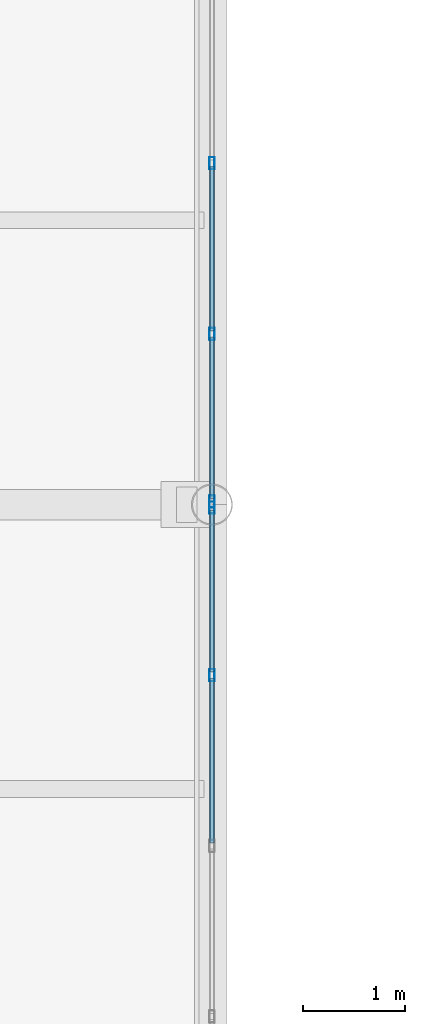
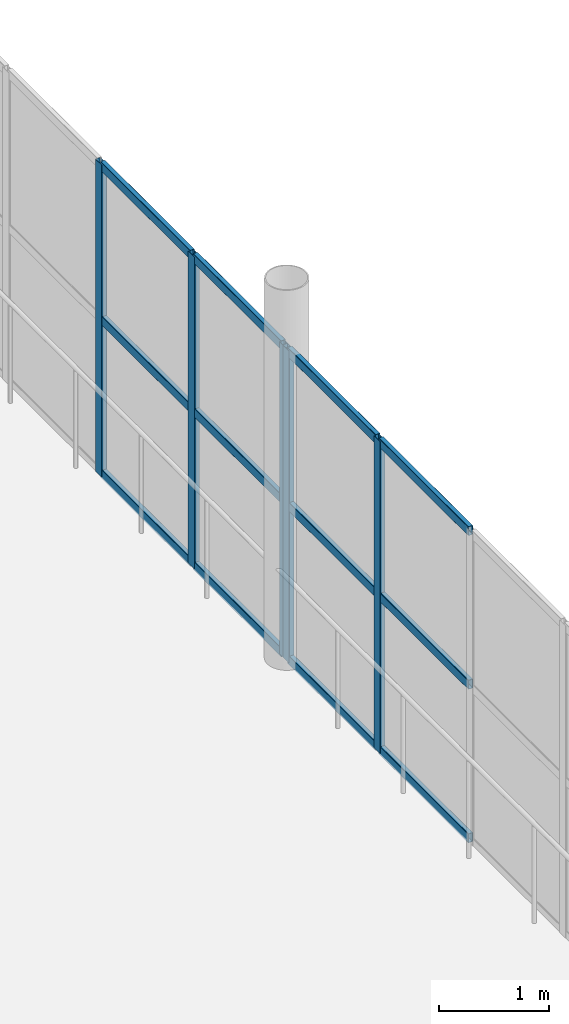
# One storey, part 53 of 163: 17 members, 2 elements without a shape of their own.
"""IFC4 building model written with IfcOpenShell, lengths in metres."""

from ifc_helpers import new_model, si_unit, direction, frame, origin, origin_2d, place, context, subcontext, project, spatial, hollow_rectangle, extrude, material, layer, layer_set, material_profile, profile_set, type_object, element, aggregate, save


model = new_model("IFC4")

# Units and contexts
model_context = context("Model", 3, precision=1e-05, world=origin(), true_north=direction((0.0, 1.0)))
body_context = subcontext(model_context, "Body", "Model", "MODEL_VIEW")
ifc_project = project(units=[si_unit("LENGTHUNIT", "METRE"), si_unit("AREAUNIT", "SQUARE_METRE"), si_unit("VOLUMEUNIT", "CUBIC_METRE"), si_unit("PLANEANGLEUNIT", "RADIAN"), si_unit("MASSUNIT", "GRAM", prefix="KILO")], contexts=[model_context])

# Site, building, storey
site_placement = place(None, origin())
site = spatial("IfcSite", under=ifc_project, at=site_placement, CompositionType="ELEMENT")
building_placement = place(site_placement, origin())
building = spatial("IfcBuilding", under=site, at=building_placement, Name="Qalvenar Corner Mobility Hub", CompositionType="ELEMENT")
storey_placement = place(building_placement, frame((0.0, 0.0, 4.800048828125)))
storey = spatial("IfcBuildingStorey", under=building, at=storey_placement, Name="L01", CompositionType="ELEMENT", Elevation=4.800048828125)

# Curtain wall, members
ifc_material_1 = material(Name="Anodised Aluminium and Low-E Glazing", Category="aluminium")
ifc_layer = layer(ifc_material_1, 0.1201171875)
ifc_layer_set = layer_set([ifc_layer], Name="Anodised Aluminium and Low-E Glazing")
curtain_wall_type = type_object("IfcCurtainWallType", Name="CW-BRG-84X28", PredefinedType="NOTDEFINED", material=ifc_layer_set)
curtain_wall_1_placement = place(storey_placement, origin())
curtain_wall_1 = element("IfcCurtainWall", 1, at=curtain_wall_1_placement, inside=storey, type_object=curtain_wall_type, Name="Glazed Curtain Wall CW-BRG-L01-E1", PredefinedType="NOTDEFINED")
ifc_material_2 = material(Name="Anodised Aluminium 6063-T6", Category="aluminium")
ifc_material_profile_1 = material_profile(ifc_material_2, hollow_rectangle(XDim=0.054931640625, YDim=0.1201171875, WallThickness=0.00341796875, InnerFilletRadius=0.00341796875, OuterFilletRadius=0.007080078125, at=origin_2d()), Name="RHS120x55x3.5")
ifc_profile_set_1 = profile_set([ifc_material_profile_1], Name="Anodised Aluminium 6063-T6")
member_type_1 = type_object("IfcMemberType", Name="CW-MUL120", PredefinedType="MULLION", material=ifc_profile_set_1)
member_1_placement = place(storey_placement, frame((58.800048828125, 48.719970703125, 0.0), z_axis=(0.0, 0.0, 1.0), x_axis=(-1.0, 0.0, 0.0)))
member_1 = element("IfcMember", 2, at=member_1_placement, type_object=member_type_1, Name="CW-11 mullion 5", PredefinedType="MULLION", context=body_context, shape_type="SweptSolid", body=[
    extrude(hollow_rectangle(XDim=0.054931640625, YDim=0.1201171875, WallThickness=0.00341796875, InnerFilletRadius=0.00341796875, OuterFilletRadius=0.007080078125, at=origin_2d()), origin(), (0.0, 0.0, 1.0), 3.449951171875),
])
member_2_placement = place(storey_placement, frame((58.800048828125, 50.3701171875, 0.0), z_axis=(0.0, 0.0, 1.0), x_axis=(-1.0, 0.0, 0.0)))
member_2 = element("IfcMember", 3, at=member_2_placement, type_object=member_type_1, Name="CW-11 mullion 6", PredefinedType="MULLION", context=body_context, shape_type="SweptSolid", body=[
    extrude(hollow_rectangle(XDim=0.054931640625, YDim=0.1201171875, WallThickness=0.00341796875, InnerFilletRadius=0.00341796875, OuterFilletRadius=0.007080078125, at=origin_2d()), origin(), (0.0, 0.0, 1.0), 3.449951171875),
])

curtain_wall_2_placement = place(storey_placement, origin())
curtain_wall_2 = element("IfcCurtainWall", 4, at=curtain_wall_2_placement, inside=storey, type_object=curtain_wall_type, Name="Glazed Curtain Wall CW-BRG-L01-E2", PredefinedType="NOTDEFINED")
member_3_placement = place(storey_placement, frame((58.800048828125, 50.429931640625, 0.0), z_axis=(0.0, 0.0, 1.0), x_axis=(-1.0, 0.0, 0.0)))
member_3 = element("IfcMember", 5, at=member_3_placement, type_object=member_type_1, Name="CW-11 mullion 1", PredefinedType="MULLION", context=body_context, shape_type="SweptSolid", body=[
    extrude(hollow_rectangle(XDim=0.054931640625, YDim=0.1201171875, WallThickness=0.00341796875, InnerFilletRadius=0.00341796875, OuterFilletRadius=0.007080078125, at=origin_2d()), origin(), (0.0, 0.0, 1.0), 3.449951171875),
])
member_4_placement = place(storey_placement, frame((58.800048828125, 52.080078125, 0.0), z_axis=(0.0, 0.0, 1.0), x_axis=(-1.0, 0.0, 0.0)))
member_4 = element("IfcMember", 6, at=member_4_placement, type_object=member_type_1, Name="CW-11 mullion 2", PredefinedType="MULLION", context=body_context, shape_type="SweptSolid", body=[
    extrude(hollow_rectangle(XDim=0.054931640625, YDim=0.1201171875, WallThickness=0.00341796875, InnerFilletRadius=0.00341796875, OuterFilletRadius=0.007080078125, at=origin_2d()), origin(), (0.0, 0.0, 1.0), 3.449951171875),
])
member_5_placement = place(storey_placement, frame((58.800048828125, 53.760009765625, 0.0), z_axis=(0.0, 0.0, 1.0), x_axis=(-1.0, 0.0, 0.0)))
member_5 = element("IfcMember", 7, at=member_5_placement, type_object=member_type_1, Name="CW-11 mullion 3", PredefinedType="MULLION", context=body_context, shape_type="SweptSolid", body=[
    extrude(hollow_rectangle(XDim=0.054931640625, YDim=0.1201171875, WallThickness=0.00341796875, InnerFilletRadius=0.00341796875, OuterFilletRadius=0.007080078125, at=origin_2d()), origin(), (0.0, 0.0, 1.0), 3.449951171875),
])

# Member
ifc_material_profile_2 = material_profile(ifc_material_2, hollow_rectangle(XDim=0.050048828125, YDim=0.10009765625, WallThickness=0.0029296875, InnerFilletRadius=0.0029296875, OuterFilletRadius=0.006103515625, at=origin_2d()), Name="RHS100x50x3")
ifc_profile_set_2 = profile_set([ifc_material_profile_2], Name="Anodised Aluminium 6063-T6")
member_type_2 = type_object("IfcMemberType", Name="CW-TRN100", PredefinedType="USERDEFINED", material=ifc_profile_set_2)
member_6_placement = place(storey_placement, frame((58.800048828125, 47.070068359375, 0.02734375), z_axis=(0.0, 1.0, 0.0), x_axis=(-1.0, 0.0, 0.0)))
member_6 = element("IfcMember", 8, at=member_6_placement, type_object=member_type_2, Name="CW-11 transom 4.1", ObjectType="TRANSOM", PredefinedType="USERDEFINED", context=body_context, shape_type="SweptSolid", body=[
    extrude(hollow_rectangle(XDim=0.050048828125, YDim=0.10009765625, WallThickness=0.0029296875, InnerFilletRadius=0.0029296875, OuterFilletRadius=0.006103515625, at=origin_2d()), origin(), (0.0, 0.0, 1.0), 1.619873046875),
])

member_7_placement = place(storey_placement, frame((58.800048828125, 47.070068359375, 1.724853515625), z_axis=(0.0, 1.0, 0.0), x_axis=(-1.0, 0.0, 0.0)))
member_7 = element("IfcMember", 9, at=member_7_placement, type_object=member_type_2, Name="CW-11 transom 4.2", ObjectType="TRANSOM", PredefinedType="USERDEFINED", context=body_context, shape_type="SweptSolid", body=[
    extrude(hollow_rectangle(XDim=0.050048828125, YDim=0.10009765625, WallThickness=0.0029296875, InnerFilletRadius=0.0029296875, OuterFilletRadius=0.006103515625, at=origin_2d()), origin(), (0.0, 0.0, 1.0), 1.619873046875),
])

member_8_placement = place(storey_placement, frame((58.800048828125, 47.070068359375, 3.42236328125), z_axis=(0.0, 1.0, 0.0), x_axis=(-1.0, 0.0, 0.0)))
member_8 = element("IfcMember", 10, at=member_8_placement, type_object=member_type_2, Name="CW-11 transom 4.3", ObjectType="TRANSOM", PredefinedType="USERDEFINED", context=body_context, shape_type="SweptSolid", body=[
    extrude(hollow_rectangle(XDim=0.050048828125, YDim=0.10009765625, WallThickness=0.0029296875, InnerFilletRadius=0.0029296875, OuterFilletRadius=0.006103515625, at=origin_2d()), origin(), (0.0, 0.0, 1.0), 1.619873046875),
])

member_9_placement = place(storey_placement, frame((58.800048828125, 48.75, 0.02734375), z_axis=(0.0, 1.0, 0.0), x_axis=(-1.0, 0.0, 0.0)))
member_9 = element("IfcMember", 11, at=member_9_placement, type_object=member_type_2, Name="CW-11 transom 5.1", ObjectType="TRANSOM", PredefinedType="USERDEFINED", context=body_context, shape_type="SweptSolid", body=[
    extrude(hollow_rectangle(XDim=0.050048828125, YDim=0.10009765625, WallThickness=0.0029296875, InnerFilletRadius=0.0029296875, OuterFilletRadius=0.006103515625, at=origin_2d()), origin(), (0.0, 0.0, 1.0), 1.590087890625),
])

member_10_placement = place(storey_placement, frame((58.800048828125, 48.75, 1.724853515625), z_axis=(0.0, 1.0, 0.0), x_axis=(-1.0, 0.0, 0.0)))
member_10 = element("IfcMember", 12, at=member_10_placement, type_object=member_type_2, Name="CW-11 transom 5.2", ObjectType="TRANSOM", PredefinedType="USERDEFINED", context=body_context, shape_type="SweptSolid", body=[
    extrude(hollow_rectangle(XDim=0.050048828125, YDim=0.10009765625, WallThickness=0.0029296875, InnerFilletRadius=0.0029296875, OuterFilletRadius=0.006103515625, at=origin_2d()), origin(), (0.0, 0.0, 1.0), 1.590087890625),
])

member_11_placement = place(storey_placement, frame((58.800048828125, 48.75, 3.42236328125), z_axis=(0.0, 1.0, 0.0), x_axis=(-1.0, 0.0, 0.0)))
member_11 = element("IfcMember", 13, at=member_11_placement, type_object=member_type_2, Name="CW-11 transom 5.3", ObjectType="TRANSOM", PredefinedType="USERDEFINED", context=body_context, shape_type="SweptSolid", body=[
    extrude(hollow_rectangle(XDim=0.050048828125, YDim=0.10009765625, WallThickness=0.0029296875, InnerFilletRadius=0.0029296875, OuterFilletRadius=0.006103515625, at=origin_2d()), origin(), (0.0, 0.0, 1.0), 1.590087890625),
])

aggregate(curtain_wall_1, [member_1, member_2, member_6, member_7, member_8, member_9, member_10, member_11])

member_12_placement = place(storey_placement, frame((58.800048828125, 50.4599609375, 0.02734375), z_axis=(0.0, 1.0, 0.0), x_axis=(-1.0, 0.0, 0.0)))
member_12 = element("IfcMember", 14, at=member_12_placement, type_object=member_type_2, Name="CW-11 transom 1.1", ObjectType="TRANSOM", PredefinedType="USERDEFINED", context=body_context, shape_type="SweptSolid", body=[
    extrude(hollow_rectangle(XDim=0.050048828125, YDim=0.10009765625, WallThickness=0.0029296875, InnerFilletRadius=0.0029296875, OuterFilletRadius=0.006103515625, at=origin_2d()), origin(), (0.0, 0.0, 1.0), 1.590087890625),
])

member_13_placement = place(storey_placement, frame((58.800048828125, 50.4599609375, 1.724853515625), z_axis=(0.0, 1.0, 0.0), x_axis=(-1.0, 0.0, 0.0)))
member_13 = element("IfcMember", 15, at=member_13_placement, type_object=member_type_2, Name="CW-11 transom 1.2", ObjectType="TRANSOM", PredefinedType="USERDEFINED", context=body_context, shape_type="SweptSolid", body=[
    extrude(hollow_rectangle(XDim=0.050048828125, YDim=0.10009765625, WallThickness=0.0029296875, InnerFilletRadius=0.0029296875, OuterFilletRadius=0.006103515625, at=origin_2d()), origin(), (0.0, 0.0, 1.0), 1.590087890625),
])

member_14_placement = place(storey_placement, frame((58.800048828125, 50.4599609375, 3.42236328125), z_axis=(0.0, 1.0, 0.0), x_axis=(-1.0, 0.0, 0.0)))
member_14 = element("IfcMember", 16, at=member_14_placement, type_object=member_type_2, Name="CW-11 transom 1.3", ObjectType="TRANSOM", PredefinedType="USERDEFINED", context=body_context, shape_type="SweptSolid", body=[
    extrude(hollow_rectangle(XDim=0.050048828125, YDim=0.10009765625, WallThickness=0.0029296875, InnerFilletRadius=0.0029296875, OuterFilletRadius=0.006103515625, at=origin_2d()), origin(), (0.0, 0.0, 1.0), 1.590087890625),
])

member_15_placement = place(storey_placement, frame((58.800048828125, 52.110107421875, 0.02734375), z_axis=(0.0, 1.0, 0.0), x_axis=(-1.0, 0.0, 0.0)))
member_15 = element("IfcMember", 17, at=member_15_placement, type_object=member_type_2, Name="CW-11 transom 2.1", ObjectType="TRANSOM", PredefinedType="USERDEFINED", context=body_context, shape_type="SweptSolid", body=[
    extrude(hollow_rectangle(XDim=0.050048828125, YDim=0.10009765625, WallThickness=0.0029296875, InnerFilletRadius=0.0029296875, OuterFilletRadius=0.006103515625, at=origin_2d()), origin(), (0.0, 0.0, 1.0), 1.619873046875),
])

member_16_placement = place(storey_placement, frame((58.800048828125, 52.110107421875, 1.724853515625), z_axis=(0.0, 1.0, 0.0), x_axis=(-1.0, 0.0, 0.0)))
member_16 = element("IfcMember", 18, at=member_16_placement, type_object=member_type_2, Name="CW-11 transom 2.2", ObjectType="TRANSOM", PredefinedType="USERDEFINED", context=body_context, shape_type="SweptSolid", body=[
    extrude(hollow_rectangle(XDim=0.050048828125, YDim=0.10009765625, WallThickness=0.0029296875, InnerFilletRadius=0.0029296875, OuterFilletRadius=0.006103515625, at=origin_2d()), origin(), (0.0, 0.0, 1.0), 1.619873046875),
])

member_17_placement = place(storey_placement, frame((58.800048828125, 52.110107421875, 3.42236328125), z_axis=(0.0, 1.0, 0.0), x_axis=(-1.0, 0.0, 0.0)))
member_17 = element("IfcMember", 19, at=member_17_placement, type_object=member_type_2, Name="CW-11 transom 2.3", ObjectType="TRANSOM", PredefinedType="USERDEFINED", context=body_context, shape_type="SweptSolid", body=[
    extrude(hollow_rectangle(XDim=0.050048828125, YDim=0.10009765625, WallThickness=0.0029296875, InnerFilletRadius=0.0029296875, OuterFilletRadius=0.006103515625, at=origin_2d()), origin(), (0.0, 0.0, 1.0), 1.619873046875),
])

aggregate(curtain_wall_2, [member_3, member_4, member_5, member_12, member_13, member_14, member_15, member_16, member_17])

save(model, "model.ifc")
